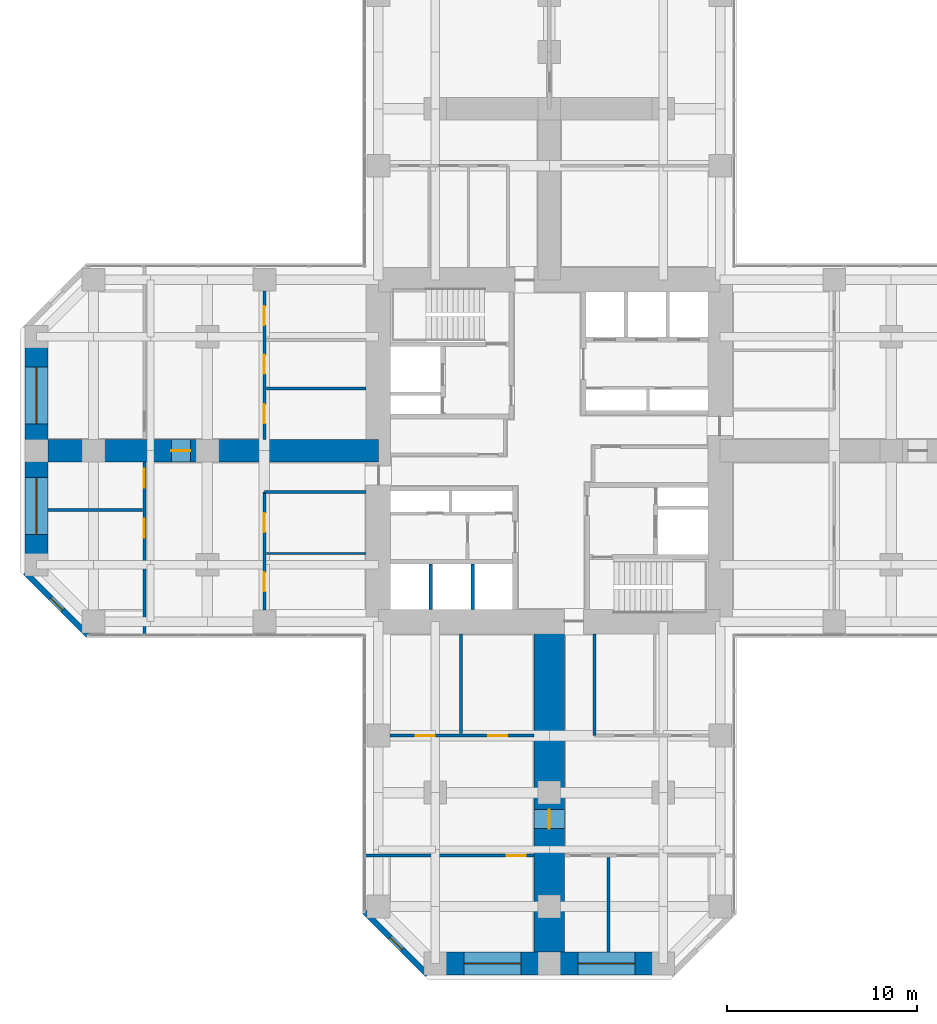
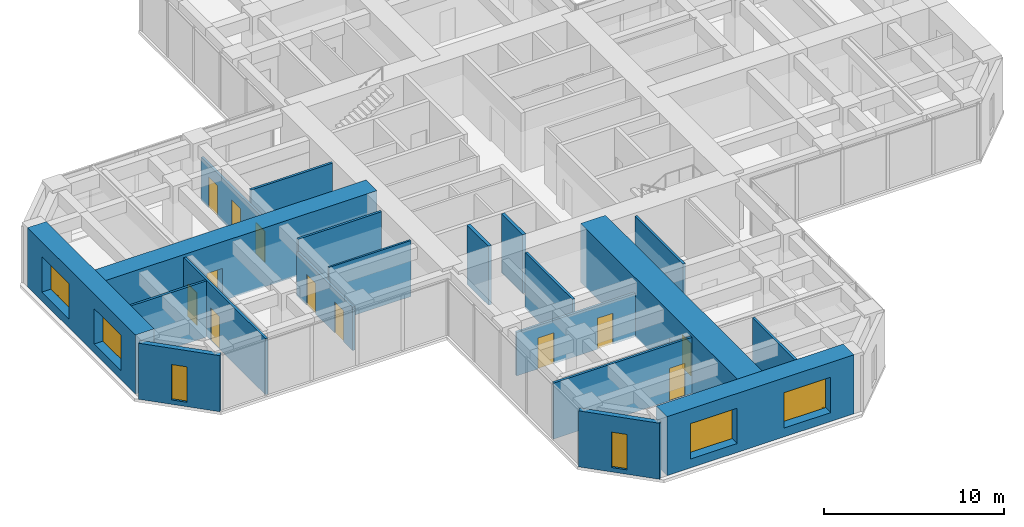
# One storey, part 8 of 13: 20 walls, 12 doors, 6 windows, 18 openings.
"""IFC4 building model written with IfcOpenShell, lengths in metres."""

from ifc_helpers import new_model, si_unit, direction, frame, frame_2d, origin, place, context, subcontext, project, spatial, rectangle, hollow_rectangle, extrude, material, layer, layer_set, constituent, constituent_set, type_object, element, fill, save


model = new_model("IFC4")

# Units and contexts
model_context = context("Model", 3, precision=1e-05, world=origin(), true_north=direction((0.0, 1.0)))
body_context = subcontext(model_context, "Body", "Model", "MODEL_VIEW")
ifc_project = project(units=[si_unit("LENGTHUNIT", "METRE"), si_unit("AREAUNIT", "SQUARE_METRE"), si_unit("VOLUMEUNIT", "CUBIC_METRE"), si_unit("PLANEANGLEUNIT", "RADIAN"), si_unit("MASSUNIT", "GRAM", prefix="KILO")], contexts=[model_context])

# Site, building, storey
site_placement = place(None, origin())
site = spatial("IfcSite", under=ifc_project, at=site_placement, CompositionType="ELEMENT")
building_placement = place(site_placement, origin())
building = spatial("IfcBuilding", under=site, at=building_placement, Name="Torre Cruceta", CompositionType="ELEMENT")
storey_placement = place(building_placement, frame((0.0, 0.0, 55.5)))
storey = spatial("IfcBuildingStorey", under=building, at=storey_placement, Name="L13", CompositionType="ELEMENT", Elevation=55.5)

# Wall, opening, window
ifc_material_1 = material(Name="Concrete G30 (fck 30 MPa)", Category="concrete")
ifc_layer_1 = layer(ifc_material_1, 0.300048828125)
ifc_layer_set_1 = layer_set([ifc_layer_1], Name="Concrete G30 (fck 30 MPa)")
wall_type_1 = type_object("IfcWallType", Name="EXPOSED CONCRETE FACADE WALL 300", PredefinedType="SOLIDWALL", material=ifc_layer_set_1)
wall_1_placement = place(storey_placement, frame((-27.60009765625, -6.418212890625, 0.0), z_axis=(0.0, 0.0, 1.0), x_axis=(0.707106781187, -0.707106781187, 0.0)))
wall_1 = element("IfcWall", 1, at=wall_1_placement, inside=storey, type_object=wall_type_1, Name="EW1 facade wall L13 W chamfer 13", PredefinedType="SOLIDWALL", context=body_context, shape_type="SweptSolid", body=[
    extrude(rectangle(XDim=4.66943359375, YDim=0.300048828125, at=frame_2d((2.334716796875, 0.0))), origin(), (0.0, 0.0, 1.0), 3.800048828125),
])
opening_1_placement = place(wall_1_placement, frame((1.884765625, 0.0, 0.300048828125)))
opening_1 = element("IfcOpeningElement", 2, at=opening_1_placement, cuts=wall_1, Name="Opening WN5", PredefinedType="OPENING", context=body_context, shape_type="SweptSolid", body=[
    extrude(rectangle(XDim=0.89990234375, YDim=2.39990234375, at=frame_2d((0.449951171875, 1.199951171875))), frame((0.0, 0.159912109375, 0.0), z_axis=(0.0, -1.0, 0.0), x_axis=(1.0, 0.0, 0.0)), (0.0, 0.0, 1.0), 0.320068359375),
])
ifc_material_2 = material(Name="Aluminium window frame", Category="aluminium")
ifc_constituent_1 = constituent(ifc_material_2, Name="Frame")
ifc_material_3 = material(Name="Laminated insulating glass unit, low-iron clear", Category="glass")
ifc_constituent_2 = constituent(ifc_material_3, Name="Glazing")
ifc_constituent_set_1 = constituent_set(constituents=[ifc_constituent_1, ifc_constituent_2], Name="Aluminium window")
window_type_1 = type_object("IfcWindowType", Name="CHAMFER SLOT WINDOW 900X2400", PartitioningType="SINGLE_PANEL", PredefinedType="WINDOW", material=ifc_constituent_set_1)
window_1_placement = place(opening_1_placement, origin())
window_1 = element("IfcWindow", 3, at=window_1_placement, inside=storey, type_object=window_type_1, Name="WN5 L13 W 1", OverallHeight=2.39990234375, OverallWidth=0.89990234375, PartitioningType="SINGLE_PANEL", PredefinedType="WINDOW", context=body_context, shape_type="SweptSolid", body=[
    extrude(hollow_rectangle(XDim=0.89990234375, YDim=2.39990234375, WallThickness=0.06005859375, at=frame_2d((0.449951171875, 1.199951171875))), frame((0.0, 0.030029296875, 0.0), z_axis=(0.0, -1.0, 0.0), x_axis=(1.0, 0.0, 0.0)), (0.0, 0.0, 1.0), 0.06005859375),
    extrude(rectangle(XDim=0.77880859375, YDim=2.27880859375, at=frame_2d((0.449951171875, 1.199951171875))), frame((0.0, 0.030029296875, 0.0), z_axis=(0.0, -1.0, 0.0), x_axis=(1.0, 0.0, 0.0)), (0.0, 0.0, 1.0), 0.06005859375),
])
fill(opening_1, window_1)

wall_2_placement = place(storey_placement, frame((-9.719970703125, -24.29833984375, 0.0), z_axis=(0.0, 0.0, 1.0), x_axis=(0.707106781187, -0.707106781187, 0.0)))
wall_2 = element("IfcWall", 4, at=wall_2_placement, inside=storey, type_object=wall_type_1, Name="EW1 facade wall L13 S chamfer 16", PredefinedType="SOLIDWALL", context=body_context, shape_type="SweptSolid", body=[
    extrude(rectangle(XDim=4.66943359375, YDim=0.300048828125, at=frame_2d((2.334716796875, 0.0))), origin(), (0.0, 0.0, 1.0), 3.800048828125),
])
opening_2_placement = place(wall_2_placement, frame((1.884765625, 0.0, 0.300048828125)))
opening_2 = element("IfcOpeningElement", 5, at=opening_2_placement, cuts=wall_2, Name="Opening WN5", PredefinedType="OPENING", context=body_context, shape_type="SweptSolid", body=[
    extrude(rectangle(XDim=0.89990234375, YDim=2.39990234375, at=frame_2d((0.449951171875, 1.199951171875))), frame((0.0, 0.159912109375, 0.0), z_axis=(0.0, -1.0, 0.0), x_axis=(1.0, 0.0, 0.0)), (0.0, 0.0, 1.0), 0.320068359375),
])
window_2_placement = place(opening_2_placement, origin())
window_2 = element("IfcWindow", 6, at=window_2_placement, inside=storey, type_object=window_type_1, Name="WN5 L13 S 1", OverallHeight=2.39990234375, OverallWidth=0.89990234375, PartitioningType="SINGLE_PANEL", PredefinedType="WINDOW", context=body_context, shape_type="SweptSolid", body=[
    extrude(hollow_rectangle(XDim=0.89990234375, YDim=2.39990234375, WallThickness=0.06005859375, at=frame_2d((0.449951171875, 1.199951171875))), frame((0.0, 0.030029296875, 0.0), z_axis=(0.0, -1.0, 0.0), x_axis=(1.0, 0.0, 0.0)), (0.0, 0.0, 1.0), 0.06005859375),
    extrude(rectangle(XDim=0.77880859375, YDim=2.27880859375, at=frame_2d((0.449951171875, 1.199951171875))), frame((0.0, 0.030029296875, 0.0), z_axis=(0.0, -1.0, 0.0), x_axis=(1.0, 0.0, 0.0)), (0.0, 0.0, 1.0), 0.06005859375),
])
fill(opening_2, window_2)

# Walls
ifc_material_4 = material(Name="Concrete G35 (fck 35 MPa)", Category="concrete")
ifc_layer_2 = layer(ifc_material_4, 0.199951171875)
ifc_layer_set_2 = layer_set([ifc_layer_2], Name="Concrete G35 (fck 35 MPa)")
wall_type_2 = type_object("IfcWallType", Name="LIFT SHAFT WALL 200", PredefinedType="PARTITIONING", material=ifc_layer_set_2)
for number, where, z_axis, x_axis, name in (
    (7, (-4.033447265625, -5.97509765625, 0.0), (0.0, 0.0, 1.0), (0.0, -1.0, 0.0), "SW1 L13 SW-LS1"),
    (8, (-6.24169921875, -5.97509765625, 0.0), (0.0, 0.0, 1.0), (0.0, -1.0, 0.0), "SW1 L13 SW-LS2"),
):
    element("IfcWall", number, at=place(storey_placement, frame(where, z_axis=z_axis, x_axis=x_axis)), inside=storey, type_object=wall_type_2, Name=name, PredefinedType="PARTITIONING", context=body_context, shape_type="SweptSolid", body=[
        extrude(rectangle(XDim=2.375, YDim=0.199951171875, at=frame_2d((1.1875, 0.0))), origin(), (0.0, 0.0, 1.0), 4.0),
    ])

# Wall, openings, windows
ifc_material_5 = material(Name="Concrete G60 (fck 60 MPa)", Category="concrete")
ifc_layer_3 = layer(ifc_material_5, 1.199951171875)
ifc_layer_set_3 = layer_set([ifc_layer_3], Name="Concrete G60 (fck 60 MPa)")
wall_type_3 = type_object("IfcWallType", Name="NOSE WALL 1200 G60", PredefinedType="SHEAR", material=ifc_layer_set_3)
wall_3_placement = place(storey_placement, frame((-6.0, -27.0, 0.0), z_axis=(0.0, 0.0, 1.0), x_axis=(1.0, 0.0, 0.0)))
wall_3 = element("IfcWall", 9, at=wall_3_placement, inside=storey, type_object=wall_type_3, Name="NW1 nose wall L13 S", PredefinedType="SHEAR", context=body_context, shape_type="SweptSolid", body=[
    extrude(rectangle(XDim=12.0, YDim=1.199951171875, at=frame_2d((6.0, 0.0))), origin(), (0.0, 0.0, 1.0), 4.0),
])
opening_3_placement = place(wall_3_placement, frame((1.5, 0.0, 0.60009765625)))
opening_3 = element("IfcOpeningElement", 10, at=opening_3_placement, cuts=wall_3, Name="Opening WN6", PredefinedType="OPENING", context=body_context, shape_type="SweptSolid", body=[
    extrude(rectangle(XDim=3.0, YDim=2.39990234375, at=frame_2d((1.5, 1.199951171875))), frame((0.0, 0.60986328125, 0.0), z_axis=(0.0, -1.0, 0.0), x_axis=(1.0, 0.0, 0.0)), (0.0, 0.0, 1.0), 1.219970703125),
])
opening_4_placement = place(wall_3_placement, frame((7.5, 0.0, 0.60009765625)))
opening_4 = element("IfcOpeningElement", 11, at=opening_4_placement, cuts=wall_3, Name="Opening WN6", PredefinedType="OPENING", context=body_context, shape_type="SweptSolid", body=[
    extrude(rectangle(XDim=3.0, YDim=2.39990234375, at=frame_2d((1.5, 1.199951171875))), frame((0.0, 0.60986328125, 0.0), z_axis=(0.0, -1.0, 0.0), x_axis=(1.0, 0.0, 0.0)), (0.0, 0.0, 1.0), 1.219970703125),
])
ifc_material_6 = material(Name="Aluminium window frame", Category="aluminium")
ifc_constituent_3 = constituent(ifc_material_6, Name="Frame")
ifc_material_7 = material(Name="Laminated insulating glass unit, low-iron clear", Category="glass")
ifc_constituent_4 = constituent(ifc_material_7, Name="Glazing")
ifc_constituent_set_2 = constituent_set(constituents=[ifc_constituent_3, ifc_constituent_4], Name="Aluminium window")
window_type_2 = type_object("IfcWindowType", Name="NOSE WALL WINDOW 3000X2400", PartitioningType="SINGLE_PANEL", PredefinedType="WINDOW", material=ifc_constituent_set_2)
window_3_placement = place(opening_3_placement, origin())
window_3 = element("IfcWindow", 12, at=window_3_placement, inside=storey, type_object=window_type_2, Name="WN6 L13 S 1", OverallHeight=2.39990234375, OverallWidth=3.0, PartitioningType="SINGLE_PANEL", PredefinedType="WINDOW", context=body_context, shape_type="SweptSolid", body=[
    extrude(hollow_rectangle(XDim=3.0, YDim=2.39990234375, WallThickness=0.06005859375, at=frame_2d((1.5, 1.199951171875))), frame((0.0, 0.030029296875, 0.0), z_axis=(0.0, -1.0, 0.0), x_axis=(1.0, 0.0, 0.0)), (0.0, 0.0, 1.0), 0.06005859375),
    extrude(rectangle(XDim=2.87890625, YDim=2.27880859375, at=frame_2d((1.5, 1.199951171875))), frame((0.0, 0.030029296875, 0.0), z_axis=(0.0, -1.0, 0.0), x_axis=(1.0, 0.0, 0.0)), (0.0, 0.0, 1.0), 0.06005859375),
])
fill(opening_3, window_3)
window_4_placement = place(opening_4_placement, origin())
window_4 = element("IfcWindow", 13, at=window_4_placement, inside=storey, type_object=window_type_2, Name="WN6 L13 S 2", OverallHeight=2.39990234375, OverallWidth=3.0, PartitioningType="SINGLE_PANEL", PredefinedType="WINDOW", context=body_context, shape_type="SweptSolid", body=[
    extrude(hollow_rectangle(XDim=3.0, YDim=2.39990234375, WallThickness=0.06005859375, at=frame_2d((1.5, 1.199951171875))), frame((0.0, 0.030029296875, 0.0), z_axis=(0.0, -1.0, 0.0), x_axis=(1.0, 0.0, 0.0)), (0.0, 0.0, 1.0), 0.06005859375),
    extrude(rectangle(XDim=2.87890625, YDim=2.27880859375, at=frame_2d((1.5, 1.199951171875))), frame((0.0, 0.030029296875, 0.0), z_axis=(0.0, -1.0, 0.0), x_axis=(1.0, 0.0, 0.0)), (0.0, 0.0, 1.0), 0.06005859375),
])
fill(opening_4, window_4)

wall_4_placement = place(storey_placement, frame((-27.0, 6.0, 0.0), z_axis=(0.0, 0.0, 1.0), x_axis=(0.0, -1.0, 0.0)))
wall_4 = element("IfcWall", 14, at=wall_4_placement, inside=storey, type_object=wall_type_3, Name="NW1 nose wall L13 W", PredefinedType="SHEAR", context=body_context, shape_type="SweptSolid", body=[
    extrude(rectangle(XDim=12.0, YDim=1.199951171875, at=frame_2d((6.0, 0.0))), origin(), (0.0, 0.0, 1.0), 4.0),
])
opening_5_placement = place(wall_4_placement, frame((1.60009765625, 0.0, 0.60009765625)))
opening_5 = element("IfcOpeningElement", 15, at=opening_5_placement, cuts=wall_4, Name="Opening WN6", PredefinedType="OPENING", context=body_context, shape_type="SweptSolid", body=[
    extrude(rectangle(XDim=3.0, YDim=2.39990234375, at=frame_2d((1.5, 1.199951171875))), frame((0.0, 0.60986328125, 0.0), z_axis=(0.0, -1.0, 0.0), x_axis=(1.0, 0.0, 0.0)), (0.0, 0.0, 1.0), 1.219970703125),
])
opening_6_placement = place(wall_4_placement, frame((7.39990234375, 0.0, 0.60009765625)))
opening_6 = element("IfcOpeningElement", 16, at=opening_6_placement, cuts=wall_4, Name="Opening WN6", PredefinedType="OPENING", context=body_context, shape_type="SweptSolid", body=[
    extrude(rectangle(XDim=3.0, YDim=2.39990234375, at=frame_2d((1.5, 1.199951171875))), frame((0.0, 0.60986328125, 0.0), z_axis=(0.0, -1.0, 0.0), x_axis=(1.0, 0.0, 0.0)), (0.0, 0.0, 1.0), 1.219970703125),
])
window_5_placement = place(opening_5_placement, origin())
window_5 = element("IfcWindow", 17, at=window_5_placement, inside=storey, type_object=window_type_2, Name="WN6 L13 W 1", OverallHeight=2.39990234375, OverallWidth=3.0, PartitioningType="SINGLE_PANEL", PredefinedType="WINDOW", context=body_context, shape_type="SweptSolid", body=[
    extrude(hollow_rectangle(XDim=3.0, YDim=2.39990234375, WallThickness=0.06005859375, at=frame_2d((1.5, 1.199951171875))), frame((0.0, 0.030029296875, 0.0), z_axis=(0.0, -1.0, 0.0), x_axis=(1.0, 0.0, 0.0)), (0.0, 0.0, 1.0), 0.06005859375),
    extrude(rectangle(XDim=2.87890625, YDim=2.27880859375, at=frame_2d((1.5, 1.199951171875))), frame((0.0, 0.030029296875, 0.0), z_axis=(0.0, -1.0, 0.0), x_axis=(1.0, 0.0, 0.0)), (0.0, 0.0, 1.0), 0.06005859375),
])
fill(opening_5, window_5)
window_6_placement = place(opening_6_placement, origin())
window_6 = element("IfcWindow", 18, at=window_6_placement, inside=storey, type_object=window_type_2, Name="WN6 L13 W 2", OverallHeight=2.39990234375, OverallWidth=3.0, PartitioningType="SINGLE_PANEL", PredefinedType="WINDOW", context=body_context, shape_type="SweptSolid", body=[
    extrude(hollow_rectangle(XDim=3.0, YDim=2.39990234375, WallThickness=0.06005859375, at=frame_2d((1.5, 1.199951171875))), frame((0.0, 0.030029296875, 0.0), z_axis=(0.0, -1.0, 0.0), x_axis=(1.0, 0.0, 0.0)), (0.0, 0.0, 1.0), 0.06005859375),
    extrude(rectangle(XDim=2.87890625, YDim=2.27880859375, at=frame_2d((1.5, 1.199951171875))), frame((0.0, 0.030029296875, 0.0), z_axis=(0.0, -1.0, 0.0), x_axis=(1.0, 0.0, 0.0)), (0.0, 0.0, 1.0), 0.06005859375),
])
fill(opening_6, window_6)

# Wall
ifc_material_8 = material(Name="Plasterboard on steel studs", Category="steel")
ifc_layer_4 = layer(ifc_material_8, 0.14990234375)
ifc_layer_set_4 = layer_set([ifc_layer_4], Name="Plasterboard on steel studs")
wall_type_4 = type_object("IfcWallType", Name="PARTITION 150", PredefinedType="PARTITIONING", material=ifc_layer_set_4)
wall_5_placement = place(storey_placement, frame((2.375, -9.64990234375, 0.0), z_axis=(0.0, 0.0, 1.0), x_axis=(0.0, -1.0, 0.0)))
element("IfcWall", 19, at=wall_5_placement, inside=storey, type_object=wall_type_4, Name="PT1 L13-S-BSL", PredefinedType="PARTITIONING", context=body_context, shape_type="SweptSolid", body=[
    extrude(rectangle(XDim=5.35009765625, YDim=0.14990234375, at=frame_2d((2.675048828125, 0.0))), origin(), (0.0, 0.0, 1.0), 3.800048828125),
])

# Wall, openings, doors
wall_6_placement = place(storey_placement, frame((-8.39990234375, -15.0, 0.0), z_axis=(0.0, 0.0, 1.0), x_axis=(1.0, 0.0, 0.0)))
wall_6 = element("IfcWall", 20, at=wall_6_placement, inside=storey, type_object=wall_type_4, Name="PT1 L13-S-BFR", PredefinedType="PARTITIONING", context=body_context, shape_type="SweptSolid", body=[
    extrude(rectangle(XDim=7.599853515625, YDim=0.14990234375, at=frame_2d((3.7998046875, 0.0))), origin(), (0.0, 0.0, 1.0), 2.949951171875),
])
opening_7_placement = place(wall_6_placement, frame((1.375, 0.0, 0.0)))
opening_7 = element("IfcOpeningElement", 21, at=opening_7_placement, cuts=wall_6, Name="Opening D3", PredefinedType="OPENING", context=body_context, shape_type="SweptSolid", body=[
    extrude(rectangle(XDim=1.0, YDim=2.10009765625, at=frame_2d((0.5, 1.050048828125))), frame((0.0, 0.0849609375, 0.0), z_axis=(0.0, -1.0, 0.0), x_axis=(1.0, 0.0, 0.0)), (0.0, 0.0, 1.0), 0.169921875),
])
opening_8_placement = place(wall_6_placement, frame((5.175048828125, 0.0, 0.0)))
opening_8 = element("IfcOpeningElement", 22, at=opening_8_placement, cuts=wall_6, Name="Opening D3", PredefinedType="OPENING", context=body_context, shape_type="SweptSolid", body=[
    extrude(rectangle(XDim=1.0, YDim=2.10009765625, at=frame_2d((0.5, 1.050048828125))), frame((0.0, 0.0849609375, 0.0), z_axis=(0.0, -1.0, 0.0), x_axis=(1.0, 0.0, 0.0)), (0.0, 0.0, 1.0), 0.169921875),
])
ifc_material_9 = material(Name="Steel DX51D", Category="steel")
ifc_constituent_5 = constituent(ifc_material_9, Name="Leaf and frame")
ifc_material_10 = material(Name="Polyester powder coating", Category="paint")
ifc_constituent_6 = constituent(ifc_material_10, Name="Finish")
ifc_constituent_set_3 = constituent_set(constituents=[ifc_constituent_5, ifc_constituent_6], Name="Steel fire door")
door_type_1 = type_object("IfcDoorType", Name="FIRE DOOR 1000X2100", OperationType="SINGLE_SWING_LEFT", PredefinedType="DOOR", material=ifc_constituent_set_3)
door_1_placement = place(opening_7_placement, origin())
door_1 = element("IfcDoor", 23, at=door_1_placement, inside=storey, type_object=door_type_1, Name="D3 L13-S-BFR-D1", OperationType="SINGLE_SWING_RIGHT", OverallHeight=2.10009765625, OverallWidth=1.0, PredefinedType="DOOR", context=body_context, shape_type="SweptSolid", body=[
    extrude(rectangle(XDim=1.0, YDim=2.10009765625, at=frame_2d((0.5, 1.050048828125))), frame((0.0, 0.02490234375, 0.0), z_axis=(0.0, -1.0, 0.0), x_axis=(1.0, 0.0, 0.0)), (0.0, 0.0, 1.0), 0.050048828125),
])
fill(opening_7, door_1)
door_2_placement = place(opening_8_placement, origin())
door_2 = element("IfcDoor", 24, at=door_2_placement, inside=storey, type_object=door_type_1, Name="D3 L13-S-BFR-D2", OperationType="SINGLE_SWING_LEFT", OverallHeight=2.10009765625, OverallWidth=1.0, PredefinedType="DOOR", context=body_context, shape_type="SweptSolid", body=[
    extrude(rectangle(XDim=1.0, YDim=2.10009765625, at=frame_2d((0.5, 1.050048828125))), frame((0.0, 0.02490234375, 0.0), z_axis=(0.0, -1.0, 0.0), x_axis=(1.0, 0.0, 0.0)), (0.0, 0.0, 1.0), 0.050048828125),
])
fill(opening_8, door_2)

# Walls
wall_7_placement = place(storey_placement, frame((-4.64990234375, -9.64990234375, 0.0), z_axis=(0.0, 0.0, 1.0), x_axis=(0.0, -1.0, 0.0)))
element("IfcWall", 25, at=wall_7_placement, inside=storey, type_object=wall_type_4, Name="PT1 L13-S-BDR1", PredefinedType="PARTITIONING", context=body_context, shape_type="SweptSolid", body=[
    extrude(rectangle(XDim=5.25, YDim=0.14990234375, at=frame_2d((2.625, 0.0))), origin(), (0.0, 0.0, 1.0), 3.800048828125),
])
wall_8_placement = place(storey_placement, frame((3.117919921875, -21.419921875, 0.0), z_axis=(0.0, 0.0, 1.0), x_axis=(0.0, -1.0, 0.0)))
element("IfcWall", 26, at=wall_8_placement, inside=storey, type_object=wall_type_4, Name="PT1 L13-S-TDL", PredefinedType="PARTITIONING", context=body_context, shape_type="SweptSolid", body=[
    extrude(rectangle(XDim=4.97998046875, YDim=0.14990234375, at=frame_2d((2.489990234375, 0.0))), origin(), (0.0, 0.0, 1.0), 3.800048828125),
])

# Wall, opening, door
wall_9_placement = place(storey_placement, frame((-9.679931640625, -21.320068359375, 0.0), z_axis=(0.0, 0.0, 1.0), x_axis=(1.0, 0.0, 0.0)))
wall_9 = element("IfcWall", 27, at=wall_9_placement, inside=storey, type_object=wall_type_4, Name="PT1 L13-S-TWR", PredefinedType="PARTITIONING", context=body_context, shape_type="SweptSolid", body=[
    extrude(rectangle(XDim=8.8798828125, YDim=0.14990234375, at=frame_2d((4.43994140625, 0.0))), origin(), (0.0, 0.0, 1.0), 3.800048828125),
])
opening_9_placement = place(wall_9_placement, frame((7.429931640625, 0.0, 0.0)))
opening_9 = element("IfcOpeningElement", 28, at=opening_9_placement, cuts=wall_9, Name="Opening D14", PredefinedType="OPENING", context=body_context, shape_type="SweptSolid", body=[
    extrude(rectangle(XDim=1.0, YDim=2.199951171875, at=frame_2d((0.5, 1.10009765625))), frame((0.0, 0.0849609375, 0.0), z_axis=(0.0, -1.0, 0.0), x_axis=(1.0, 0.0, 0.0)), (0.0, 0.0, 1.0), 0.169921875),
])
ifc_material_11 = material(Name="Steel DX51D", Category="steel")
ifc_constituent_7 = constituent(ifc_material_11, Name="Leaf and frame")
ifc_material_12 = material(Name="Polyester powder coating", Category="paint")
ifc_constituent_8 = constituent(ifc_material_12, Name="Finish")
ifc_material_13 = material(Name="Fire-resisting glass", Category="glass")
ifc_constituent_9 = constituent(ifc_material_13, Name="Vision panel")
ifc_constituent_set_4 = constituent_set(constituents=[ifc_constituent_7, ifc_constituent_8, ifc_constituent_9], Name="Steel fire door with vision panel")
door_type_2 = type_object("IfcDoorType", Name="FIRE DOOR VISION PANEL 1000X2200", OperationType="SINGLE_SWING_RIGHT", PredefinedType="DOOR", material=ifc_constituent_set_4)
door_3_placement = place(opening_9_placement, frame((1.0, 0.0, 0.0), z_axis=(0.0, 0.0, 1.0), x_axis=(-1.0, 0.0, 0.0)))
door_3 = element("IfcDoor", 29, at=door_3_placement, inside=storey, type_object=door_type_2, Name="D14 L13-S-TWR-D1", OperationType="SINGLE_SWING_LEFT", OverallHeight=2.199951171875, OverallWidth=1.0, PredefinedType="DOOR", context=body_context, shape_type="SweptSolid", body=[
    extrude(rectangle(XDim=1.0, YDim=2.199951171875, at=frame_2d((0.5, 1.10009765625))), frame((0.0, 0.025146484375, 0.0), z_axis=(0.0, -1.0, 0.0), x_axis=(1.0, 0.0, 0.0)), (0.0, 0.0, 1.0), 0.050048828125),
])
fill(opening_9, door_3)

# Wall, openings, doors
wall_10_placement = place(storey_placement, frame((-15.0, -2.175048828125, 0.0), z_axis=(0.0, 0.0, 1.0), x_axis=(0.0, -1.0, 0.0)))
wall_10 = element("IfcWall", 30, at=wall_10_placement, inside=storey, type_object=wall_type_4, Name="PT1 L13-W-BFL", PredefinedType="PARTITIONING", context=body_context, shape_type="SweptSolid", body=[
    extrude(rectangle(XDim=6.224853515625, YDim=0.14990234375, at=frame_2d((3.1123046875, 0.0))), origin(), (0.0, 0.0, 1.0), 2.949951171875),
])
opening_10_placement = place(wall_10_placement, frame((1.118408203125, 0.0, 0.0)))
opening_10 = element("IfcOpeningElement", 31, at=opening_10_placement, cuts=wall_10, Name="Opening D3", PredefinedType="OPENING", context=body_context, shape_type="SweptSolid", body=[
    extrude(rectangle(XDim=1.0, YDim=2.10009765625, at=frame_2d((0.5, 1.050048828125))), frame((0.0, 0.0849609375, 0.0), z_axis=(0.0, -1.0, 0.0), x_axis=(1.0, 0.0, 0.0)), (0.0, 0.0, 1.0), 0.169921875),
])
opening_11_placement = place(wall_10_placement, frame((4.23095703125, 0.0, 0.0)))
opening_11 = element("IfcOpeningElement", 32, at=opening_11_placement, cuts=wall_10, Name="Opening D3", PredefinedType="OPENING", context=body_context, shape_type="SweptSolid", body=[
    extrude(rectangle(XDim=1.0, YDim=2.10009765625, at=frame_2d((0.5, 1.050048828125))), frame((0.0, 0.0849609375, 0.0), z_axis=(0.0, -1.0, 0.0), x_axis=(1.0, 0.0, 0.0)), (0.0, 0.0, 1.0), 0.169921875),
])
door_4_placement = place(opening_10_placement, origin())
door_4 = element("IfcDoor", 33, at=door_4_placement, inside=storey, type_object=door_type_1, Name="D3 L13-W-BFL-D1", OperationType="SINGLE_SWING_LEFT", OverallHeight=2.10009765625, OverallWidth=1.0, PredefinedType="DOOR", context=body_context, shape_type="SweptSolid", body=[
    extrude(rectangle(XDim=1.0, YDim=2.10009765625, at=frame_2d((0.5, 1.050048828125))), frame((0.0, 0.02490234375, 0.0), z_axis=(0.0, -1.0, 0.0), x_axis=(1.0, 0.0, 0.0)), (0.0, 0.0, 1.0), 0.050048828125),
])
fill(opening_10, door_4)
door_5_placement = place(opening_11_placement, origin())
door_5 = element("IfcDoor", 34, at=door_5_placement, inside=storey, type_object=door_type_1, Name="D3 L13-W-BFL-D2", OperationType="SINGLE_SWING_LEFT", OverallHeight=2.10009765625, OverallWidth=1.0, PredefinedType="DOOR", context=body_context, shape_type="SweptSolid", body=[
    extrude(rectangle(XDim=1.0, YDim=2.10009765625, at=frame_2d((0.5, 1.050048828125))), frame((0.0, 0.02490234375, 0.0), z_axis=(0.0, -1.0, 0.0), x_axis=(1.0, 0.0, 0.0)), (0.0, 0.0, 1.0), 0.050048828125),
])
fill(opening_11, door_5)

# Wall
wall_11_placement = place(storey_placement, frame((-9.64990234375, -2.175048828125, 0.0), z_axis=(0.0, 0.0, 1.0), x_axis=(-1.0, 0.0, 0.0)))
element("IfcWall", 35, at=wall_11_placement, inside=storey, type_object=wall_type_4, Name="PT1 L13-W-BSL", PredefinedType="PARTITIONING", context=body_context, shape_type="SweptSolid", body=[
    extrude(rectangle(XDim=5.35009765625, YDim=0.14990234375, at=frame_2d((2.675048828125, 0.0))), origin(), (0.0, 0.0, 1.0), 3.800048828125),
])

# Wall, openings, doors
wall_12_placement = place(storey_placement, frame((-15.0, 8.39990234375, 0.0), z_axis=(0.0, 0.0, 1.0), x_axis=(0.0, -1.0, 0.0)))
wall_12 = element("IfcWall", 36, at=wall_12_placement, inside=storey, type_object=wall_type_4, Name="PT1 L13-W-BFR", PredefinedType="PARTITIONING", context=body_context, shape_type="SweptSolid", body=[
    extrude(rectangle(XDim=7.7998046875, YDim=0.14990234375, at=frame_2d((3.89990234375, 0.0))), origin(), (0.0, 0.0, 1.0), 2.949951171875),
])
opening_12_placement = place(wall_12_placement, frame((0.783203125, 0.0, 0.0)))
opening_12 = element("IfcOpeningElement", 37, at=opening_12_placement, cuts=wall_12, Name="Opening D3", PredefinedType="OPENING", context=body_context, shape_type="SweptSolid", body=[
    extrude(rectangle(XDim=1.0, YDim=2.10009765625, at=frame_2d((0.5, 1.050048828125))), frame((0.0, 0.0849609375, 0.0), z_axis=(0.0, -1.0, 0.0), x_axis=(1.0, 0.0, 0.0)), (0.0, 0.0, 1.0), 0.169921875),
])
opening_13_placement = place(wall_12_placement, frame((3.35009765625, 0.0, 0.0)))
opening_13 = element("IfcOpeningElement", 38, at=opening_13_placement, cuts=wall_12, Name="Opening D3", PredefinedType="OPENING", context=body_context, shape_type="SweptSolid", body=[
    extrude(rectangle(XDim=1.0, YDim=2.10009765625, at=frame_2d((0.5, 1.050048828125))), frame((0.0, 0.0849609375, 0.0), z_axis=(0.0, -1.0, 0.0), x_axis=(1.0, 0.0, 0.0)), (0.0, 0.0, 1.0), 0.169921875),
])
opening_14_placement = place(wall_12_placement, frame((5.966796875, 0.0, 0.0)))
opening_14 = element("IfcOpeningElement", 39, at=opening_14_placement, cuts=wall_12, Name="Opening D3", PredefinedType="OPENING", context=body_context, shape_type="SweptSolid", body=[
    extrude(rectangle(XDim=1.0, YDim=2.10009765625, at=frame_2d((0.5, 1.050048828125))), frame((0.0, 0.0849609375, 0.0), z_axis=(0.0, -1.0, 0.0), x_axis=(1.0, 0.0, 0.0)), (0.0, 0.0, 1.0), 0.169921875),
])
door_6_placement = place(opening_12_placement, origin())
door_6 = element("IfcDoor", 40, at=door_6_placement, inside=storey, type_object=door_type_1, Name="D3 L13-W-BFR-D1", OperationType="SINGLE_SWING_RIGHT", OverallHeight=2.10009765625, OverallWidth=1.0, PredefinedType="DOOR", context=body_context, shape_type="SweptSolid", body=[
    extrude(rectangle(XDim=1.0, YDim=2.10009765625, at=frame_2d((0.5, 1.050048828125))), frame((0.0, 0.02490234375, 0.0), z_axis=(0.0, -1.0, 0.0), x_axis=(1.0, 0.0, 0.0)), (0.0, 0.0, 1.0), 0.050048828125),
])
fill(opening_12, door_6)
door_7_placement = place(opening_13_placement, origin())
door_7 = element("IfcDoor", 41, at=door_7_placement, inside=storey, type_object=door_type_1, Name="D3 L13-W-BFR-D2", OperationType="SINGLE_SWING_LEFT", OverallHeight=2.10009765625, OverallWidth=1.0, PredefinedType="DOOR", context=body_context, shape_type="SweptSolid", body=[
    extrude(rectangle(XDim=1.0, YDim=2.10009765625, at=frame_2d((0.5, 1.050048828125))), frame((0.0, 0.02490234375, 0.0), z_axis=(0.0, -1.0, 0.0), x_axis=(1.0, 0.0, 0.0)), (0.0, 0.0, 1.0), 0.050048828125),
])
fill(opening_13, door_7)
door_8_placement = place(opening_14_placement, origin())
door_8 = element("IfcDoor", 42, at=door_8_placement, inside=storey, type_object=door_type_1, Name="D3 L13-W-BFR-D3", OperationType="SINGLE_SWING_LEFT", OverallHeight=2.10009765625, OverallWidth=1.0, PredefinedType="DOOR", context=body_context, shape_type="SweptSolid", body=[
    extrude(rectangle(XDim=1.0, YDim=2.10009765625, at=frame_2d((0.5, 1.050048828125))), frame((0.0, 0.02490234375, 0.0), z_axis=(0.0, -1.0, 0.0), x_axis=(1.0, 0.0, 0.0)), (0.0, 0.0, 1.0), 0.050048828125),
])
fill(opening_14, door_8)

# Walls
wall_13_placement = place(storey_placement, frame((-9.64990234375, 3.2666015625, 0.0), z_axis=(0.0, 0.0, 1.0), x_axis=(-1.0, 0.0, 0.0)))
element("IfcWall", 43, at=wall_13_placement, inside=storey, type_object=wall_type_4, Name="PT1 L13-W-BDR1", PredefinedType="PARTITIONING", context=body_context, shape_type="SweptSolid", body=[
    extrude(rectangle(XDim=5.25, YDim=0.14990234375, at=frame_2d((2.625, 0.0))), origin(), (0.0, 0.0, 1.0), 3.800048828125),
])
wall_14_placement = place(storey_placement, frame((-21.419921875, -3.117919921875, 0.0), z_axis=(0.0, 0.0, 1.0), x_axis=(-1.0, 0.0, 0.0)))
element("IfcWall", 44, at=wall_14_placement, inside=storey, type_object=wall_type_4, Name="PT1 L13-W-TDL", PredefinedType="PARTITIONING", context=body_context, shape_type="SweptSolid", body=[
    extrude(rectangle(XDim=4.97998046875, YDim=0.14990234375, at=frame_2d((2.489990234375, 0.0))), origin(), (0.0, 0.0, 1.0), 3.800048828125),
])

# Wall, openings, doors
wall_15_placement = place(storey_placement, frame((-21.320068359375, -0.60009765625, 0.0), z_axis=(0.0, 0.0, 1.0), x_axis=(0.0, -1.0, 0.0)))
wall_15 = element("IfcWall", 45, at=wall_15_placement, inside=storey, type_object=wall_type_4, Name="PT1 L13-W-TWL", PredefinedType="PARTITIONING", context=body_context, shape_type="SweptSolid", body=[
    extrude(rectangle(XDim=9.079833984375, YDim=0.14990234375, at=frame_2d((4.5400390625, 0.0))), origin(), (0.0, 0.0, 1.0), 3.800048828125),
])
opening_15_placement = place(wall_15_placement, frame((0.35009765625, 0.0, 0.0)))
opening_15 = element("IfcOpeningElement", 46, at=opening_15_placement, cuts=wall_15, Name="Opening D14", PredefinedType="OPENING", context=body_context, shape_type="SweptSolid", body=[
    extrude(rectangle(XDim=1.0, YDim=2.199951171875, at=frame_2d((0.5, 1.10009765625))), frame((0.0, 0.0849609375, 0.0), z_axis=(0.0, -1.0, 0.0), x_axis=(1.0, 0.0, 0.0)), (0.0, 0.0, 1.0), 0.169921875),
])
opening_16_placement = place(wall_15_placement, frame((2.992919921875, 0.0, 0.0)))
opening_16 = element("IfcOpeningElement", 47, at=opening_16_placement, cuts=wall_15, Name="Opening D14", PredefinedType="OPENING", context=body_context, shape_type="SweptSolid", body=[
    extrude(rectangle(XDim=1.0, YDim=2.199951171875, at=frame_2d((0.5, 1.10009765625))), frame((0.0, 0.0849609375, 0.0), z_axis=(0.0, -1.0, 0.0), x_axis=(1.0, 0.0, 0.0)), (0.0, 0.0, 1.0), 0.169921875),
])
door_9_placement = place(opening_15_placement, frame((1.0, 0.0, 0.0), z_axis=(0.0, 0.0, 1.0), x_axis=(-1.0, 0.0, 0.0)))
door_9 = element("IfcDoor", 48, at=door_9_placement, inside=storey, type_object=door_type_2, Name="D14 L13-W-TWL-D1", OperationType="SINGLE_SWING_RIGHT", OverallHeight=2.199951171875, OverallWidth=1.0, PredefinedType="DOOR", context=body_context, shape_type="SweptSolid", body=[
    extrude(rectangle(XDim=1.0, YDim=2.199951171875, at=frame_2d((0.5, 1.10009765625))), frame((0.0, 0.025146484375, 0.0), z_axis=(0.0, -1.0, 0.0), x_axis=(1.0, 0.0, 0.0)), (0.0, 0.0, 1.0), 0.050048828125),
])
fill(opening_15, door_9)
door_10_placement = place(opening_16_placement, frame((1.0, 0.0, 0.0), z_axis=(0.0, 0.0, 1.0), x_axis=(-1.0, 0.0, 0.0)))
door_10 = element("IfcDoor", 49, at=door_10_placement, inside=storey, type_object=door_type_2, Name="D14 L13-W-TWL-D2", OperationType="SINGLE_SWING_RIGHT", OverallHeight=2.199951171875, OverallWidth=1.0, PredefinedType="DOOR", context=body_context, shape_type="SweptSolid", body=[
    extrude(rectangle(XDim=1.0, YDim=2.199951171875, at=frame_2d((0.5, 1.10009765625))), frame((0.0, 0.025146484375, 0.0), z_axis=(0.0, -1.0, 0.0), x_axis=(1.0, 0.0, 0.0)), (0.0, 0.0, 1.0), 0.050048828125),
])
fill(opening_16, door_10)

# Wall, opening, door
ifc_material_14 = material(Name="Concrete G60 (fck 60 MPa)", Category="concrete")
ifc_layer_5 = layer(ifc_material_14, 1.199951171875)
ifc_layer_set_5 = layer_set([ifc_layer_5], Name="Concrete G60 (fck 60 MPa)")
wall_type_5 = type_object("IfcWallType", Name="SPINE WALL 1200 G60", PredefinedType="SHEAR", material=ifc_layer_set_5)
wall_16_placement = place(storey_placement, frame((-9.0, 0.0, 0.0), z_axis=(0.0, 0.0, 1.0), x_axis=(-1.0, 0.0, 0.0)))
wall_16 = element("IfcWall", 50, at=wall_16_placement, inside=storey, type_object=wall_type_5, Name="SW3 spine wall L13 W", PredefinedType="SHEAR", context=body_context, shape_type="SweptSolid", body=[
    extrude(rectangle(XDim=18.0, YDim=1.199951171875, at=frame_2d((9.0, 0.0))), origin(), (0.0, 0.0, 1.0), 4.0),
])
opening_17_placement = place(wall_16_placement, frame((9.89990234375, 0.0, 0.0)))
opening_17 = element("IfcOpeningElement", 51, at=opening_17_placement, cuts=wall_16, Name="Opening D14", PredefinedType="OPENING", context=body_context, shape_type="SweptSolid", body=[
    extrude(rectangle(XDim=1.0, YDim=2.199951171875, at=frame_2d((0.5, 1.10009765625))), frame((0.0, 0.60986328125, 0.0), z_axis=(0.0, -1.0, 0.0), x_axis=(1.0, 0.0, 0.0)), (0.0, 0.0, 1.0), 1.219970703125),
])
door_11_placement = place(opening_17_placement, frame((1.0, 0.0, 0.0), z_axis=(0.0, 0.0, 1.0), x_axis=(-1.0, 0.0, 0.0)))
door_11 = element("IfcDoor", 52, at=door_11_placement, inside=storey, type_object=door_type_2, Name="D14 L13-W-SP1", OperationType="SINGLE_SWING_LEFT", OverallHeight=2.199951171875, OverallWidth=1.0, PredefinedType="DOOR", context=body_context, shape_type="SweptSolid", body=[
    extrude(rectangle(XDim=1.0, YDim=2.199951171875, at=frame_2d((0.5, 1.10009765625))), frame((0.0, 0.025146484375, 0.0), z_axis=(0.0, -1.0, 0.0), x_axis=(1.0, 0.0, 0.0)), (0.0, 0.0, 1.0), 0.050048828125),
])
fill(opening_17, door_11)

ifc_material_15 = material(Name="Concrete G60 (fck 60 MPa)", Category="concrete")
ifc_layer_6 = layer(ifc_material_15, 1.60009765625)
ifc_layer_set_6 = layer_set([ifc_layer_6], Name="Concrete G60 (fck 60 MPa)")
wall_type_6 = type_object("IfcWallType", Name="SPINE WALL 1600 G60", PredefinedType="SHEAR", material=ifc_layer_set_6)
wall_17_placement = place(storey_placement, frame((0.0, -9.0, 0.0), z_axis=(0.0, 0.0, 1.0), x_axis=(0.0, -1.0, 0.0)))
wall_17 = element("IfcWall", 53, at=wall_17_placement, inside=storey, type_object=wall_type_6, Name="SW2 spine wall L13 S", PredefinedType="SHEAR", context=body_context, shape_type="SweptSolid", body=[
    extrude(rectangle(XDim=18.0, YDim=1.60009765625, at=frame_2d((9.0, 0.0))), origin(), (0.0, 0.0, 1.0), 4.0),
])
opening_18_placement = place(wall_17_placement, frame((9.89990234375, 0.0, 0.0)))
opening_18 = element("IfcOpeningElement", 54, at=opening_18_placement, cuts=wall_17, Name="Opening D14", PredefinedType="OPENING", context=body_context, shape_type="SweptSolid", body=[
    extrude(rectangle(XDim=1.0, YDim=2.199951171875, at=frame_2d((0.5, 1.10009765625))), frame((0.0, 0.81005859375, 0.0), z_axis=(0.0, -1.0, 0.0), x_axis=(1.0, 0.0, 0.0)), (0.0, 0.0, 1.0), 1.6201171875),
])
door_12_placement = place(opening_18_placement, frame((1.0, 0.0, 0.0), z_axis=(0.0, 0.0, 1.0), x_axis=(-1.0, 0.0, 0.0)))
door_12 = element("IfcDoor", 55, at=door_12_placement, inside=storey, type_object=door_type_2, Name="D14 L13-S-SP1", OperationType="SINGLE_SWING_LEFT", OverallHeight=2.199951171875, OverallWidth=1.0, PredefinedType="DOOR", context=body_context, shape_type="SweptSolid", body=[
    extrude(rectangle(XDim=1.0, YDim=2.199951171875, at=frame_2d((0.5, 1.10009765625))), frame((0.0, 0.025146484375, 0.0), z_axis=(0.0, -1.0, 0.0), x_axis=(1.0, 0.0, 0.0)), (0.0, 0.0, 1.0), 0.050048828125),
])
fill(opening_18, door_12)

# Wall
ifc_material_16 = material(Name="Plasterboard on steel studs", Category="steel")
ifc_layer_7 = layer(ifc_material_16, 0.1201171875)
ifc_layer_set_7 = layer_set([ifc_layer_7], Name="Plasterboard on steel studs")
wall_type_7 = type_object("IfcWallType", Name="WC PARTITION 120", PredefinedType="PLUMBINGWALL", material=ifc_layer_set_7)
wall_18_placement = place(storey_placement, frame((-9.64990234375, -5.412109375, 0.0), z_axis=(0.0, 0.0, 1.0), x_axis=(-1.0, 0.0, 0.0)))
element("IfcWall", 56, at=wall_18_placement, inside=storey, type_object=wall_type_7, Name="PT5 L13-W-BDL1", PredefinedType="PLUMBINGWALL", context=body_context, shape_type="SweptSolid", body=[
    extrude(rectangle(XDim=5.25, YDim=0.1201171875, at=frame_2d((2.625, 0.0))), origin(), (0.0, 0.0, 1.0), 3.800048828125),
])

save(model, "model.ifc")
